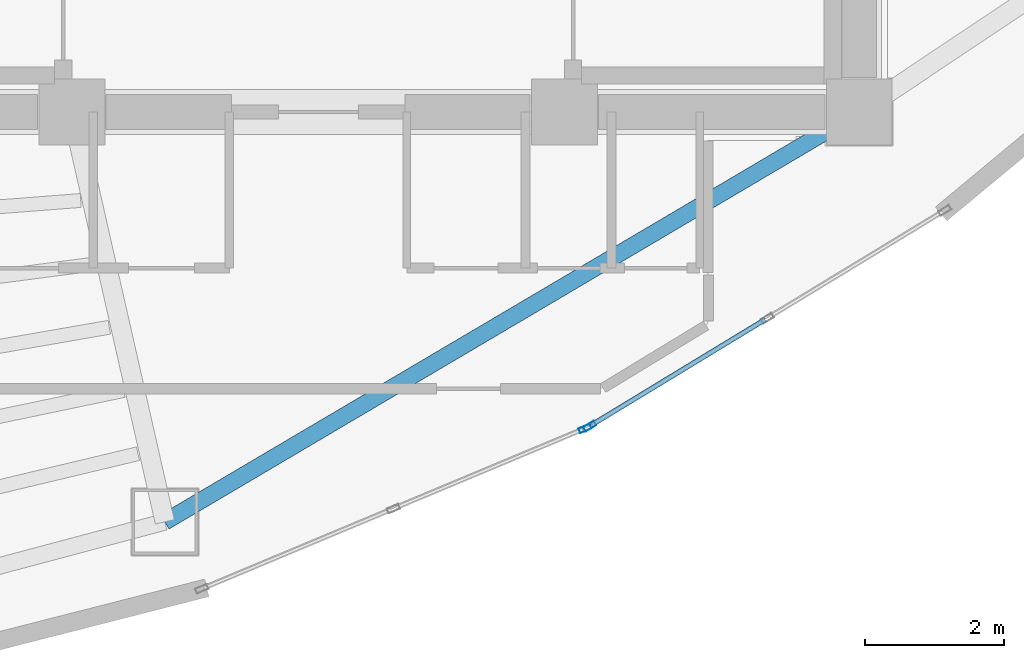
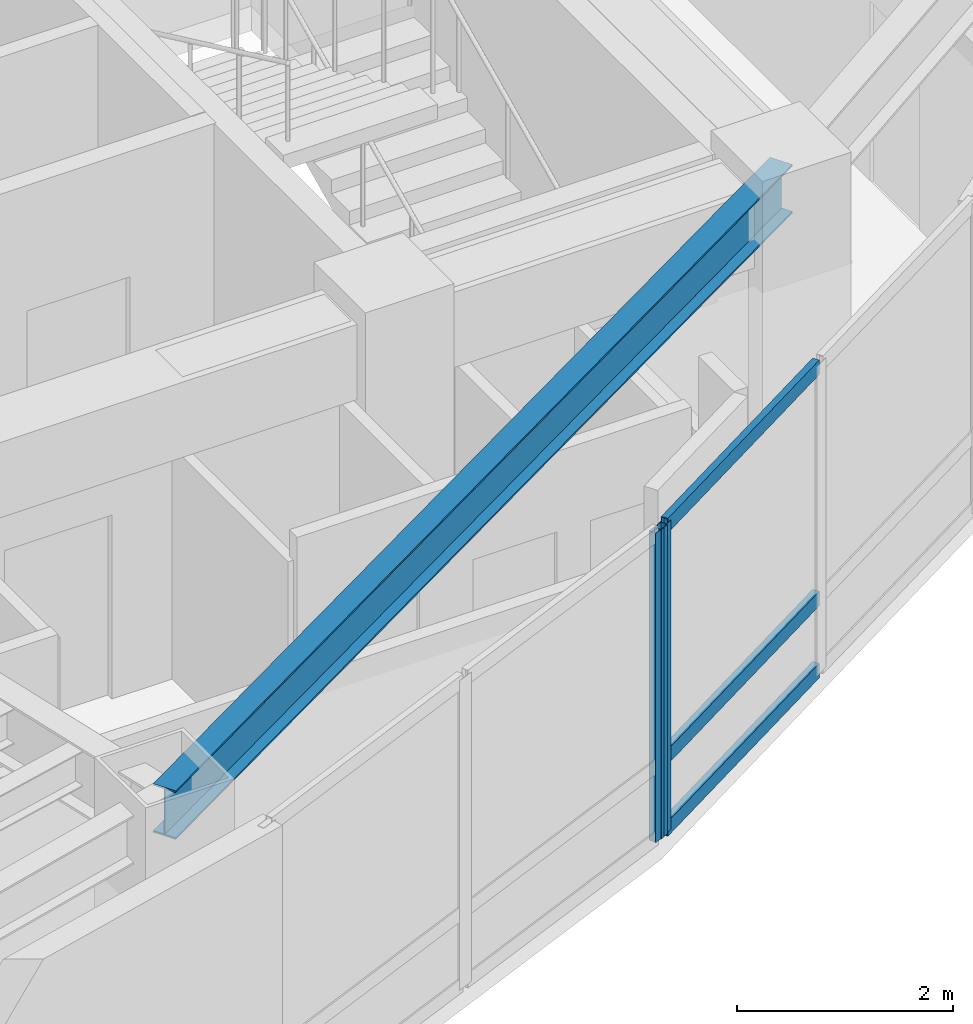
# One storey, part 4 of 16: 5 members, 1 beam, 2 elements without a shape of their own.
"""IFC4 building model written with IfcOpenShell, lengths in metres."""

from ifc_helpers import new_model, si_unit, direction, frame, origin, origin_2d, place, context, subcontext, project, spatial, hollow_rectangle, i_section, extrude, material, layer, layer_set, material_profile, profile_set, type_object, element, aggregate, save


model = new_model("IFC4")

# Units and contexts
model_context = context("Model", 3, precision=1e-05, world=origin(), true_north=direction((0.0, 1.0)))
body_context = subcontext(model_context, "Body", "Model", "MODEL_VIEW")
ifc_project = project(units=[si_unit("LENGTHUNIT", "METRE"), si_unit("AREAUNIT", "SQUARE_METRE"), si_unit("VOLUMEUNIT", "CUBIC_METRE"), si_unit("PLANEANGLEUNIT", "RADIAN"), si_unit("MASSUNIT", "GRAM", prefix="KILO")], contexts=[model_context])

# Site, building, storey
site_placement = place(None, origin())
site = spatial("IfcSite", under=ifc_project, at=site_placement, CompositionType="ELEMENT")
building_placement = place(site_placement, origin())
building = spatial("IfcBuilding", under=site, at=building_placement, Name="Menara Vayukalpa", CompositionType="ELEMENT")
storey_placement = place(building_placement, frame((0.0, 0.0, 195.239990234375)))
storey = spatial("IfcBuildingStorey", under=building, at=storey_placement, Name="L49", CompositionType="ELEMENT", Elevation=195.239990234375)

# Beam
ifc_material_1 = material(Name="Steel S355", Category="steel")
ifc_material_profile_1 = material_profile(ifc_material_1, i_section(OverallWidth=0.239990234375, OverallDepth=0.550048828125, WebThickness=0.010986328125, FlangeThickness=0.01904296875, at=origin_2d()), Name="WF 550x240x11x19")
ifc_profile_set_1 = profile_set([ifc_material_profile_1], Name="Steel S355")
beam_type = type_object("IfcBeamType", Name="BM-SP2", PredefinedType="SPANDREL", material=ifc_profile_set_1)
beam_placement = place(storey_placement, frame((23.389404296875, 11.29150390625, 3.22509765625), z_axis=(0.861184403346, 0.508292655302, 0.0), x_axis=(-0.508292655302, 0.861184403346, 0.0)))
element("IfcBeam", 1, at=beam_placement, inside=storey, type_object=beam_type, Name="L49 Perimeter Spandrel Beam SP08", PredefinedType="SPANDREL", context=body_context, shape_type="SweptSolid", body=[
    extrude(i_section(OverallWidth=0.239990234375, OverallDepth=0.550048828125, WebThickness=0.010986328125, FlangeThickness=0.01904296875, at=origin_2d()), origin(), (0.0, 0.0, 1.0), 11.6240234375),
])

# Curtain wall, member
ifc_material_2 = material(Name="Anodised Terracotta Aluminium Alloy 6063-T6", Category="masonry")
ifc_layer = layer(ifc_material_2, 0.179931640625)
ifc_layer_set = layer_set([ifc_layer], Name="Anodised Terracotta Aluminium Alloy 6063-T6")
curtain_wall_type = type_object("IfcCurtainWallType", Name="CW-CW4", PredefinedType="USERDEFINED", material=ifc_layer_set)
curtain_wall_1_placement = place(storey_placement, origin())
curtain_wall_1 = element("IfcCurtainWall", 2, at=curtain_wall_1_placement, inside=storey, type_object=curtain_wall_type, Name="L49 Sky Bar Cantilever Glazed Curtain Wall CW4 19", ObjectType="UNITISED", PredefinedType="USERDEFINED")
ifc_material_3 = material(Name="Anodised Terracotta Aluminium Alloy 6063-T6", Category="masonry")
ifc_material_profile_2 = material_profile(ifc_material_3, hollow_rectangle(XDim=0.074951171875, YDim=0.179931640625, WallThickness=0.00390625, at=origin_2d()), Name="ALU 75x180x4")
ifc_profile_set_2 = profile_set([ifc_material_profile_2], Name="Anodised Terracotta Aluminium Alloy 6063-T6")
member_type_1 = type_object("IfcMemberType", Name="CWM-CW4", PredefinedType="MULLION", material=ifc_profile_set_2)
member_1_placement = place(storey_placement, frame((29.44921875, 12.637451171875, 0.0), z_axis=(0.0, 0.0, 1.0), x_axis=(-0.385902834406, 0.922539431351, 0.0)))
member_1 = element("IfcMember", 3, at=member_1_placement, type_object=member_type_1, Name="CW4 mullion 3", PredefinedType="MULLION", context=body_context, shape_type="SweptSolid", body=[
    extrude(hollow_rectangle(XDim=0.074951171875, YDim=0.179931640625, WallThickness=0.00390625, at=origin_2d()), origin(), (0.0, 0.0, 1.0), 3.5),
])
aggregate(curtain_wall_1, [member_1])

# Curtain wall, members
curtain_wall_2_placement = place(storey_placement, origin())
curtain_wall_2 = element("IfcCurtainWall", 4, at=curtain_wall_2_placement, inside=storey, type_object=curtain_wall_type, Name="L49 Sky Bar Cantilever Glazed Curtain Wall CW4 20", ObjectType="UNITISED", PredefinedType="USERDEFINED")
member_2_placement = place(storey_placement, frame((29.515869140625, 12.67138671875, 0.0), z_axis=(0.0, 0.0, 1.0), x_axis=(-0.519179911779, 0.854664974832, 0.0)))
member_2 = element("IfcMember", 5, at=member_2_placement, type_object=member_type_1, Name="CW4 mullion 1", PredefinedType="MULLION", context=body_context, shape_type="SweptSolid", body=[
    extrude(hollow_rectangle(XDim=0.074951171875, YDim=0.179931640625, WallThickness=0.00390625, at=origin_2d()), origin(), (0.0, 0.0, 1.0), 3.5),
])
ifc_material_4 = material(Name="Anodised Terracotta Aluminium Alloy 6063-T6", Category="masonry")
ifc_material_profile_3 = material_profile(ifc_material_4, hollow_rectangle(XDim=0.070068359375, YDim=0.1650390625, WallThickness=0.00390625, at=origin_2d()), Name="ALU 70x165x4")
ifc_profile_set_3 = profile_set([ifc_material_profile_3], Name="Anodised Terracotta Aluminium Alloy 6063-T6")
member_type_2 = type_object("IfcMemberType", Name="CWT-CW4", PredefinedType="USERDEFINED", material=ifc_profile_set_3)
member_3_placement = place(storey_placement, frame((29.5478515625, 12.69091796875, 0.034912109375), z_axis=(0.854684171336, 0.519148309511, 0.0), x_axis=(-0.519148309511, 0.854684171336, 0.0)))
member_3 = element("IfcMember", 6, at=member_3_placement, type_object=member_type_2, Name="CW4 transom 1.1", ObjectType="TRANSOM", PredefinedType="USERDEFINED", context=body_context, shape_type="SweptSolid", body=[
    extrude(hollow_rectangle(XDim=0.070068359375, YDim=0.1650390625, WallThickness=0.00390625, at=origin_2d()), origin(), (0.0, 0.0, 1.0), 2.919921875),
])
member_4_placement = place(storey_placement, frame((29.5478515625, 12.69091796875, 0.85009765625), z_axis=(0.854684171336, 0.519148309511, 0.0), x_axis=(-0.519148309511, 0.854684171336, 0.0)))
member_4 = element("IfcMember", 7, at=member_4_placement, type_object=member_type_2, Name="CW4 transom 1.2", ObjectType="TRANSOM", PredefinedType="USERDEFINED", context=body_context, shape_type="SweptSolid", body=[
    extrude(hollow_rectangle(XDim=0.070068359375, YDim=0.1650390625, WallThickness=0.00390625, at=origin_2d()), origin(), (0.0, 0.0, 1.0), 2.919921875),
])
member_5_placement = place(storey_placement, frame((29.5478515625, 12.69091796875, 3.465087890625), z_axis=(0.854684171336, 0.519148309511, 0.0), x_axis=(-0.519148309511, 0.854684171336, 0.0)))
member_5 = element("IfcMember", 8, at=member_5_placement, type_object=member_type_2, Name="CW4 transom 1.3", ObjectType="TRANSOM", PredefinedType="USERDEFINED", context=body_context, shape_type="SweptSolid", body=[
    extrude(hollow_rectangle(XDim=0.070068359375, YDim=0.1650390625, WallThickness=0.00390625, at=origin_2d()), origin(), (0.0, 0.0, 1.0), 2.919921875),
])
aggregate(curtain_wall_2, [member_2, member_3, member_4, member_5])

save(model, "model.ifc")
